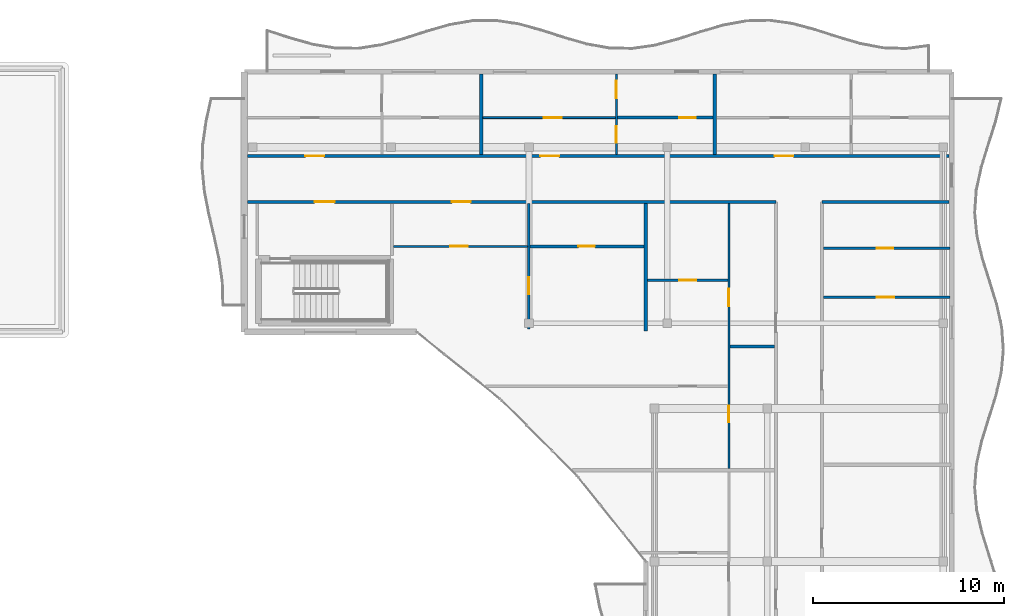
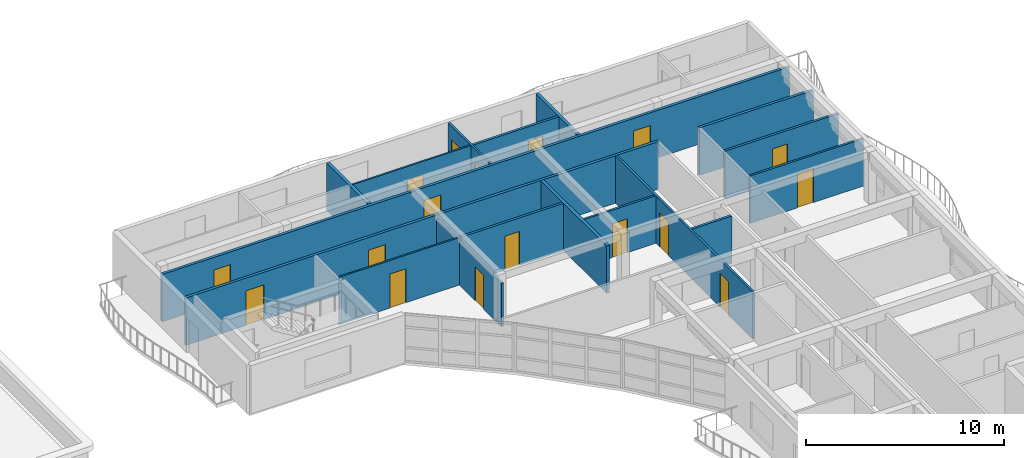
# One storey, part 12 of 18: 17 doors, 17 walls, 17 openings.
"""IFC4 building model written with IfcOpenShell, lengths in metres."""

import ifcopenshell
import ifcopenshell.guid

model = None  # the IFC model being written
_history = None  # IfcOwnerHistory: only IFC2X3 demands one
_inside = {}  # id of a spatial element -> (the spatial element, [elements in it])
_under = {}  # id of a project, library or spatial element -> (it, [spatial elements below it])
_declared = {}  # id of a project -> (the project, [libraries it declares])
_typed = {}  # id of a type object -> (the type object, [elements of that type])
_made_of = {}  # id of a material, layer set ... -> (it, [elements and type objects made of it])


def new_model(schema):
    """Start an empty IFC model of exactly this schema.

    Asked for "IFC4X3", IfcOpenShell would pick the latest addendum, in which some entities
    have other attributes; the version numbers below select the first issue.
    IFC2X3 requires an IfcOwnerHistory on every rooted entity: one is made here for all.
    """
    global model, _history
    if schema == "IFC4X3":
        model = ifcopenshell.file(schema_version=(4, 3, 0, 0))
    else:
        model = ifcopenshell.file(schema=schema)
    _inside.clear()
    _under.clear()
    _declared.clear()
    _typed.clear()
    _made_of.clear()
    _history = None
    if model.schema == "IFC2X3":
        org = make("IfcOrganization", Name="unknown")
        user = make(
            "IfcPersonAndOrganization",
            ThePerson=make("IfcPerson", FamilyName="unknown"),
            TheOrganization=org,
        )
        app = make(
            "IfcApplication",
            ApplicationDeveloper=org,
            Version="unknown",
            ApplicationFullName="unknown",
            ApplicationIdentifier="unknown",
        )
        _history = make(
            "IfcOwnerHistory",
            OwningUser=user,
            OwningApplication=app,
            ChangeAction="ADDED",
            CreationDate=0,
        )
    return model


def make(cls, **values):
    """One entity of the class cls with the attributes given. An attribute that is None is left unset."""
    return model.create_entity(
        cls, **{name: value for name, value in values.items() if value is not None}
    )


def rooted(cls, **values):
    """An entity with a GlobalId (a new one), such as an element, a storey or a relation."""
    return make(cls, GlobalId=ifcopenshell.guid.new(), OwnerHistory=_history, **values)


def si_unit(unit_type, name, prefix=None):
    """IfcSIUnit, for example si_unit("LENGTHUNIT", "METRE", prefix="MILLI")."""
    return make("IfcSIUnit", UnitType=unit_type, Prefix=prefix, Name=name)


def assignment(units):
    """IfcUnitAssignment: the units of a project."""
    return None if units is None else make("IfcUnitAssignment", Units=units)


def point(xyz):
    """IfcCartesianPoint."""
    return None if xyz is None else make("IfcCartesianPoint", Coordinates=xyz)


def direction(xyz):
    """IfcDirection."""
    return None if xyz is None else make("IfcDirection", DirectionRatios=xyz)


def frame(location, z_axis=None, x_axis=None):
    """IfcAxis2Placement3D, a coordinate frame: its origin and axes. An axis left out is left unset."""
    return make(
        "IfcAxis2Placement3D",
        Location=point(location),
        Axis=direction(z_axis),
        RefDirection=direction(x_axis),
    )


def frame_2d(location, x_axis=None):
    """IfcAxis2Placement2D, a coordinate frame in the plane: its origin and x axis."""
    return make(
        "IfcAxis2Placement2D", Location=point(location), RefDirection=direction(x_axis)
    )


def origin():
    """The frame at (0, 0, 0) with its axes left unset."""
    return frame((0.0, 0.0, 0.0))


def place(relative_to, where):
    """IfcLocalPlacement: puts the frame where relative to a parent placement (None: the world)."""
    return make(
        "IfcLocalPlacement", PlacementRelTo=relative_to, RelativePlacement=where
    )


def context(
    kind, dimensions, precision=None, world=None, true_north=None, identifier=None
):
    """IfcGeometricRepresentationContext, for example the 3D "Model" context."""
    return make(
        "IfcGeometricRepresentationContext",
        ContextIdentifier=identifier,
        ContextType=kind,
        CoordinateSpaceDimension=dimensions,
        Precision=precision,
        WorldCoordinateSystem=world,
        TrueNorth=true_north,
    )


def subcontext(parent, identifier, kind, view, scale=None):
    """IfcGeometricRepresentationSubContext, for example "Body" below "Model"."""
    return make(
        "IfcGeometricRepresentationSubContext",
        ContextIdentifier=identifier,
        ContextType=kind,
        ParentContext=parent,
        TargetScale=scale,
        TargetView=view,
    )


def project(units=None, contexts=None):
    """IfcProject with its units and contexts."""
    return rooted(
        "IfcProject",
        Name="project",
        RepresentationContexts=contexts,
        UnitsInContext=assignment(units),
    )


def spatial(cls, under=None, at=None, **own):
    """A site, building, storey or space (cls), placed at a placement, below another one or the project."""
    s = rooted(cls, ObjectPlacement=at, **own)
    if under is not None:
        _under.setdefault(under.id(), (under, []))[1].append(s)
    return s


def profile(cls, at=None, kind="AREA", **sizes):
    """A parametric profile (cls). Its sizes go by their IFC names, for example OverallWidth=200.0."""
    return make(cls, ProfileType=kind, Position=at, **sizes)


def rectangle(**sizes):
    """IfcRectangleProfileDef."""
    return profile("IfcRectangleProfileDef", **sizes)


def extrude(swept, where, along, depth):
    """IfcExtrudedAreaSolid: the profile swept, set in the frame where, extruded along a direction by depth."""
    return make(
        "IfcExtrudedAreaSolid",
        SweptArea=swept,
        Position=where,
        ExtrudedDirection=direction(along),
        Depth=depth,
    )


def shape(context_of_items, identifier, shape_type, items):
    """IfcShapeRepresentation: the items that make up one representation, for example the "Body"."""
    return make(
        "IfcShapeRepresentation",
        ContextOfItems=context_of_items,
        RepresentationIdentifier=identifier,
        RepresentationType=shape_type,
        Items=items,
    )


def material(Name=None, Category=None):
    """IfcMaterial."""
    return make("IfcMaterial", Name=Name, Category=Category)


def layer(
    of_material, thickness, ventilated=None, Name=None, Category=None, Priority=None
):
    """IfcMaterialLayer: one layer of a wall or slab, of a material (None: an air gap)."""
    return make(
        "IfcMaterialLayer",
        Material=of_material,
        LayerThickness=thickness,
        IsVentilated=ventilated,
        Name=Name,
        Category=Category,
        Priority=Priority,
    )


def layer_set(layers, Name=None):
    """IfcMaterialLayerSet."""
    return make("IfcMaterialLayerSet", MaterialLayers=layers, LayerSetName=Name)


def made_of(thing, what):
    """Note that an element or type object is made of a material, layer set ...; save() writes the relation."""
    if what is not None:
        _made_of.setdefault(what.id(), (what, []))[1].append(thing)
    return thing


def type_object(cls, material=None, **own):
    """A type object (cls), such as IfcWallType, which elements share."""
    return made_of(rooted(cls, **own), material)


def element(
    cls,
    number,
    at=None,
    inside=None,
    cuts=None,
    type_object=None,
    material=None,
    context=None,
    identifier="Body",
    shape_type=None,
    held_by="IfcProductDefinitionShape",
    body=None,
    shapes=None,
    **own,
):
    """One element of the class cls, such as IfcWall. Its Tag is "e" and its number.

    at: its placement. inside: the storey or other place that contains it. cuts: it is an
    opening in that element (IfcRelVoidsElement). A single representation is given by context,
    identifier, shape_type and body (its items); several are given by shapes. held_by: the class
    of the entity that holds the representations. save() writes the other relations.
    """
    e = rooted(cls, Tag="e%d" % number, ObjectPlacement=at, **own)
    if body is not None:
        shapes = [shape(context, identifier, shape_type, body)]
    if shapes is not None:
        e.Representation = make(held_by, Representations=shapes)
    if inside is not None:
        _inside.setdefault(inside.id(), (inside, []))[1].append(e)
    if cuts is not None:
        rooted(
            "IfcRelVoidsElement", RelatingBuildingElement=cuts, RelatedOpeningElement=e
        )
    if type_object is not None:
        _typed.setdefault(type_object.id(), (type_object, []))[1].append(e)
    return made_of(e, material)


def fill(opening, filler):
    """IfcRelFillsElement: the door or window that sits in an opening."""
    return rooted(
        "IfcRelFillsElement",
        RelatingOpeningElement=opening,
        RelatedBuildingElement=filler,
    )


def aggregate(whole, parts):
    """IfcRelAggregates: a whole, such as a stair, and the parts it consists of."""
    return rooted("IfcRelAggregates", RelatingObject=whole, RelatedObjects=parts)


def save(model, path):
    """Write the relations noted so far, then the file.

    IfcRelAggregates (storeys below a building ...), IfcRelContainedInSpatialStructure (elements
    in a storey), IfcRelDefinesByType, IfcRelAssociatesMaterial and IfcRelDeclares: one each for
    every whole, place, type object, material and project.
    """
    for whole, parts in _under.values():
        aggregate(whole, parts)
    for where, things in _inside.values():
        rooted(
            "IfcRelContainedInSpatialStructure",
            RelatedElements=things,
            RelatingStructure=where,
        )
    for kind, things in _typed.values():
        rooted("IfcRelDefinesByType", RelatedObjects=things, RelatingType=kind)
    for what, things in _made_of.values():
        rooted("IfcRelAssociatesMaterial", RelatedObjects=things, RelatingMaterial=what)
    for by, libraries in _declared.values():
        rooted("IfcRelDeclares", RelatingContext=by, RelatedDefinitions=libraries)
    model.write(path)


model = new_model("IFC4")

# Units and contexts
model_context = context("Model", 3, precision=1e-05, world=origin(), true_north=direction((0.0, 1.0)))
body_context = subcontext(model_context, "Body", "Model", "MODEL_VIEW")
ifc_project = project(units=[si_unit("LENGTHUNIT", "METRE"), si_unit("AREAUNIT", "SQUARE_METRE"), si_unit("VOLUMEUNIT", "CUBIC_METRE"), si_unit("PLANEANGLEUNIT", "RADIAN"), si_unit("MASSUNIT", "GRAM", prefix="KILO")], contexts=[model_context])

# Site, building, storey
site_placement = place(None, origin())
site = spatial("IfcSite", under=ifc_project, at=site_placement, CompositionType="ELEMENT")
building_placement = place(site_placement, origin())
building = spatial("IfcBuilding", under=site, at=building_placement, Name="Keldmere Railside Commons", CompositionType="ELEMENT")
storey_placement = place(building_placement, frame((0.0, 0.0, 39.360107421875)))
storey = spatial("IfcBuildingStorey", under=building, at=storey_placement, Name="L12", CompositionType="ELEMENT", Elevation=39.360107421875)

# Walls
ifc_material_1 = material(Name="Acoustic Gypsum Board Partition", Category="gypsum")
ifc_layer_1 = layer(ifc_material_1, 0.179931640625, Name="Acoustic Demising Partition 180")
ifc_layer_set_1 = layer_set([ifc_layer_1], Name="Acoustic Gypsum Board Partition")
wall_type_1 = type_object("IfcWallType", Name="Acoustic Demising Partition 180", PredefinedType="PARTITIONING", material=ifc_layer_set_1)
wall_1_placement = place(storey_placement, frame((168.0, 100.050048828125, 0.0), z_axis=(0.0, 0.0, 1.0), x_axis=(0.0, 1.0, 0.0)))
element("IfcWall", 1, at=wall_1_placement, inside=storey, type_object=wall_type_1, Name="IW-1 IW-L12-1900", PredefinedType="PARTITIONING", context=body_context, shape_type="SweptSolid", body=[
    extrude(rectangle(XDim=6.669921875, YDim=0.179931640625, at=frame_2d((3.3349609375, 0.0))), origin(), (0.0, 0.0, 1.0), 2.934814453125),
])
for number, where, z_axis, x_axis, name in (
    (2, (159.389892578125, 109.280029296875, 0.0), (0.0, 0.0, 1.0), (0.0, 1.0, 0.0), "IW-1 IW-L12-1913"),
    (3, (171.610107421875, 109.280029296875, 0.0), (0.0, 0.0, 1.0), (0.0, 1.0, 0.0), "IW-1 IW-L12-1914"),
):
    element("IfcWall", number, at=place(storey_placement, frame(where, z_axis=z_axis, x_axis=x_axis)), inside=storey, type_object=wall_type_1, Name=name, PredefinedType="PARTITIONING", context=body_context, shape_type="SweptSolid", body=[
        extrude(rectangle(XDim=4.199951171875, YDim=0.179931640625, at=frame_2d((2.10009765625, 0.0))), origin(), (0.0, 0.0, 1.0), 2.934814453125),
    ])

# Wall, openings, doors
ifc_layer_2 = layer(ifc_material_1, 0.1201171875, Name="Apartment Interior Partition 120")
ifc_layer_set_2 = layer_set([ifc_layer_2], Name="Acoustic Gypsum Board Partition")
wall_type_2 = type_object("IfcWallType", Name="Apartment Interior Partition 120", PredefinedType="PARTITIONING", material=ifc_layer_set_2)
wall_2_placement = place(storey_placement, frame((172.340087890625, 92.8701171875, 0.0), z_axis=(0.0, 0.0, 1.0), x_axis=(0.0, 1.0, 0.0)))
wall_2 = element("IfcWall", 4, at=wall_2_placement, inside=storey, type_object=wall_type_2, Name="IW-4 IW-L12-1909", PredefinedType="PARTITIONING", context=body_context, shape_type="SweptSolid", body=[
    extrude(rectangle(XDim=13.849853515625, YDim=0.1201171875, at=frame_2d((6.9248046875, 0.0))), origin(), (0.0, 0.0, 1.0), 2.934814453125),
])
opening_1_placement = place(wall_2_placement, frame((2.420654296875, 0.0, 0.0)))
opening_1 = element("IfcOpeningElement", 5, at=opening_1_placement, cuts=wall_2, Name="Opening ID-04", PredefinedType="OPENING", context=body_context, shape_type="SweptSolid", body=[
    extrude(rectangle(XDim=0.860107421875, YDim=2.10009765625, at=frame_2d((0.43017578125, 1.050048828125))), frame((0.0, 0.070068359375, 0.0), z_axis=(0.0, -1.0, 0.0), x_axis=(1.0, 0.0, 0.0)), (0.0, 0.0, 1.0), 0.14013671875),
])
opening_2_placement = place(wall_2_placement, frame((8.46435546875, 0.0, 0.0)))
opening_2 = element("IfcOpeningElement", 6, at=opening_2_placement, cuts=wall_2, Name="Opening ID-03", PredefinedType="OPENING", context=body_context, shape_type="SweptSolid", body=[
    extrude(rectangle(XDim=0.919921875, YDim=2.10009765625, at=frame_2d((0.4599609375, 1.050048828125))), frame((0.0, 0.070068359375, 0.0), z_axis=(0.0, -1.0, 0.0), x_axis=(1.0, 0.0, 0.0)), (0.0, 0.0, 1.0), 0.14013671875),
])
ifc_material_2 = material(Name="Engineered Oak Timber", Category="wood")
door_type_1 = type_object("IfcDoorType", Name="Apartment Bathroom Door 860x2100", OperationType="NOTDEFINED", PredefinedType="DOOR", material=ifc_material_2)
door_1_placement = place(opening_1_placement, origin())
door_1 = element("IfcDoor", 7, at=door_1_placement, inside=storey, type_object=door_type_1, Name="ID-04 IDR-L12-1747", OperationType="SINGLE_SWING_LEFT", OverallHeight=2.10009765625, OverallWidth=0.860107421875, PredefinedType="DOOR", context=body_context, shape_type="SweptSolid", body=[
    extrude(rectangle(XDim=0.860107421875, YDim=2.10009765625, at=frame_2d((0.43017578125, 1.050048828125))), frame((0.0, 0.02490234375, 0.0), z_axis=(0.0, -1.0, 0.0), x_axis=(1.0, 0.0, 0.0)), (0.0, 0.0, 1.0), 0.050048828125),
])
fill(opening_1, door_1)
door_type_2 = type_object("IfcDoorType", Name="Kitchen Pocket-Frame Swing Door 920x2100", OperationType="NOTDEFINED", PredefinedType="DOOR", material=ifc_material_2)
door_2_placement = place(opening_2_placement, origin())
door_2 = element("IfcDoor", 8, at=door_2_placement, inside=storey, type_object=door_type_2, Name="ID-03 IDR-L12-1748", OperationType="SINGLE_SWING_RIGHT", OverallHeight=2.10009765625, OverallWidth=0.919921875, PredefinedType="DOOR", context=body_context, shape_type="SweptSolid", body=[
    extrude(rectangle(XDim=0.919921875, YDim=2.10009765625, at=frame_2d((0.4599609375, 1.050048828125))), frame((0.0, 0.02490234375, 0.0), z_axis=(0.0, -1.0, 0.0), x_axis=(1.0, 0.0, 0.0)), (0.0, 0.0, 1.0), 0.050048828125),
])
fill(opening_2, door_2)

# Wall, opening, door
wall_3_placement = place(storey_placement, frame((168.090087890625, 102.699951171875, 0.0), z_axis=(0.0, 0.0, 1.0), x_axis=(1.0, 0.0, 0.0)))
wall_3 = element("IfcWall", 9, at=wall_3_placement, inside=storey, type_object=wall_type_2, Name="IW-4 IW-L12-1912", PredefinedType="PARTITIONING", context=body_context, shape_type="SweptSolid", body=[
    extrude(rectangle(XDim=4.18994140625, YDim=0.1201171875, at=frame_2d((2.094970703125, 0.0))), origin(), (0.0, 0.0, 1.0), 2.934814453125),
])
opening_3_placement = place(wall_3_placement, frame((1.655029296875, 0.0, 0.0)))
opening_3 = element("IfcOpeningElement", 10, at=opening_3_placement, cuts=wall_3, Name="Opening ID-02", PredefinedType="OPENING", context=body_context, shape_type="SweptSolid", body=[
    extrude(rectangle(XDim=0.8798828125, YDim=2.10009765625, at=frame_2d((0.43994140625, 1.050048828125))), frame((0.0, 0.070068359375, 0.0), z_axis=(0.0, -1.0, 0.0), x_axis=(1.0, 0.0, 0.0)), (0.0, 0.0, 1.0), 0.14013671875),
])
door_type_3 = type_object("IfcDoorType", Name="Secondary Bedroom Door 880x2100", OperationType="NOTDEFINED", PredefinedType="DOOR", material=ifc_material_2)
door_3_placement = place(opening_3_placement, origin())
door_3 = element("IfcDoor", 11, at=door_3_placement, inside=storey, type_object=door_type_3, Name="ID-02 IDR-L12-1751", OperationType="SINGLE_SWING_LEFT", OverallHeight=2.10009765625, OverallWidth=0.8798828125, PredefinedType="DOOR", context=body_context, shape_type="SweptSolid", body=[
    extrude(rectangle(XDim=0.8798828125, YDim=2.10009765625, at=frame_2d((0.43994140625, 1.050048828125))), frame((0.0, 0.02490234375, 0.0), z_axis=(0.0, -1.0, 0.0), x_axis=(1.0, 0.0, 0.0)), (0.0, 0.0, 1.0), 0.050048828125),
])
fill(opening_3, door_3)

# Wall, openings, doors
wall_4_placement = place(storey_placement, frame((166.4599609375, 109.280029296875, 0.0), z_axis=(0.0, 0.0, 1.0), x_axis=(0.0, 1.0, 0.0)))
wall_4 = element("IfcWall", 12, at=wall_4_placement, inside=storey, type_object=wall_type_2, Name="IW-4 IW-L12-1918", PredefinedType="PARTITIONING", context=body_context, shape_type="SweptSolid", body=[
    extrude(rectangle(XDim=4.199951171875, YDim=0.1201171875, at=frame_2d((2.10009765625, 0.0))), origin(), (0.0, 0.0, 1.0), 2.934814453125),
])
opening_4_placement = place(wall_4_placement, frame((0.61767578125, 0.0, 0.0)))
opening_4 = element("IfcOpeningElement", 13, at=opening_4_placement, cuts=wall_4, Name="Opening ID-04", PredefinedType="OPENING", context=body_context, shape_type="SweptSolid", body=[
    extrude(rectangle(XDim=0.860107421875, YDim=2.10009765625, at=frame_2d((0.43017578125, 1.050048828125))), frame((0.0, 0.070068359375, 0.0), z_axis=(0.0, -1.0, 0.0), x_axis=(1.0, 0.0, 0.0)), (0.0, 0.0, 1.0), 0.14013671875),
])
opening_5_placement = place(wall_4_placement, frame((2.951416015625, 0.0, 0.0)))
opening_5 = element("IfcOpeningElement", 14, at=opening_5_placement, cuts=wall_4, Name="Opening ID-01", PredefinedType="OPENING", context=body_context, shape_type="SweptSolid", body=[
    extrude(rectangle(XDim=0.89990234375, YDim=2.10009765625, at=frame_2d((0.449951171875, 1.050048828125))), frame((0.0, 0.070068359375, 0.0), z_axis=(0.0, -1.0, 0.0), x_axis=(1.0, 0.0, 0.0)), (0.0, 0.0, 1.0), 0.14013671875),
])
door_4_placement = place(opening_4_placement, origin())
door_4 = element("IfcDoor", 15, at=door_4_placement, inside=storey, type_object=door_type_1, Name="ID-04 IDR-L12-1758", OperationType="SINGLE_SWING_RIGHT", OverallHeight=2.10009765625, OverallWidth=0.860107421875, PredefinedType="DOOR", context=body_context, shape_type="SweptSolid", body=[
    extrude(rectangle(XDim=0.860107421875, YDim=2.10009765625, at=frame_2d((0.43017578125, 1.050048828125))), frame((0.0, 0.02490234375, 0.0), z_axis=(0.0, -1.0, 0.0), x_axis=(1.0, 0.0, 0.0)), (0.0, 0.0, 1.0), 0.050048828125),
])
fill(opening_4, door_4)
door_type_4 = type_object("IfcDoorType", Name="Primary Bedroom Door 900x2100", OperationType="NOTDEFINED", PredefinedType="DOOR", material=ifc_material_2)
door_5_placement = place(opening_5_placement, origin())
door_5 = element("IfcDoor", 16, at=door_5_placement, inside=storey, type_object=door_type_4, Name="ID-01 IDR-L12-1759", OperationType="SINGLE_SWING_LEFT", OverallHeight=2.10009765625, OverallWidth=0.89990234375, PredefinedType="DOOR", context=body_context, shape_type="SweptSolid", body=[
    extrude(rectangle(XDim=0.89990234375, YDim=2.10009765625, at=frame_2d((0.449951171875, 1.050048828125))), frame((0.0, 0.02490234375, 0.0), z_axis=(0.0, -1.0, 0.0), x_axis=(1.0, 0.0, 0.0)), (0.0, 0.0, 1.0), 0.050048828125),
])
fill(opening_5, door_5)

# Wall, opening, door
wall_5_placement = place(storey_placement, frame((161.8798828125, 100.159912109375, 0.0), z_axis=(0.0, 0.0, 1.0), x_axis=(0.0, 1.0, 0.0)))
wall_5 = element("IfcWall", 17, at=wall_5_placement, inside=storey, type_object=wall_type_2, Name="IW-4 IW-L12-1924", PredefinedType="PARTITIONING", context=body_context, shape_type="SweptSolid", body=[
    extrude(rectangle(XDim=6.56005859375, YDim=0.1201171875, at=frame_2d((3.280029296875, 0.0))), origin(), (0.0, 0.0, 1.0), 2.679931640625),
])
opening_6_placement = place(wall_5_placement, frame((1.810302734375, 0.0, 0.0)))
opening_6 = element("IfcOpeningElement", 18, at=opening_6_placement, cuts=wall_5, Name="Opening ID-02", PredefinedType="OPENING", context=body_context, shape_type="SweptSolid", body=[
    extrude(rectangle(XDim=0.8798828125, YDim=2.10009765625, at=frame_2d((0.43994140625, 1.050048828125))), frame((0.0, 0.070068359375, 0.0), z_axis=(0.0, -1.0, 0.0), x_axis=(1.0, 0.0, 0.0)), (0.0, 0.0, 1.0), 0.14013671875),
])
door_6_placement = place(opening_6_placement, origin())
door_6 = element("IfcDoor", 19, at=door_6_placement, inside=storey, type_object=door_type_3, Name="ID-02 IDR-L12-1768", OperationType="SINGLE_SWING_RIGHT", OverallHeight=2.10009765625, OverallWidth=0.8798828125, PredefinedType="DOOR", context=body_context, shape_type="SweptSolid", body=[
    extrude(rectangle(XDim=0.8798828125, YDim=2.10009765625, at=frame_2d((0.43994140625, 1.050048828125))), frame((0.0, 0.02490234375, 0.0), z_axis=(0.0, -1.0, 0.0), x_axis=(1.0, 0.0, 0.0)), (0.0, 0.0, 1.0), 0.050048828125),
])
fill(opening_6, door_6)

wall_6_placement = place(storey_placement, frame((177.280029296875, 101.820068359375, 0.0), z_axis=(0.0, 0.0, 1.0), x_axis=(1.0, 0.0, 0.0)))
wall_6 = element("IfcWall", 20, at=wall_6_placement, inside=storey, type_object=wall_type_2, Name="IW-4 IW-L12-1930", PredefinedType="PARTITIONING", context=body_context, shape_type="SweptSolid", body=[
    extrude(rectangle(XDim=6.6298828125, YDim=0.1201171875, at=frame_2d((3.31494140625, 0.0))), origin(), (0.0, 0.0, 1.0), 2.934814453125),
])
opening_7_placement = place(wall_6_placement, frame((2.78466796875, 0.0, 0.0)))
opening_7 = element("IfcOpeningElement", 21, at=opening_7_placement, cuts=wall_6, Name="Opening ID-03", PredefinedType="OPENING", context=body_context, shape_type="SweptSolid", body=[
    extrude(rectangle(XDim=0.919921875, YDim=2.10009765625, at=frame_2d((0.4599609375, 1.050048828125))), frame((0.0, 0.070068359375, 0.0), z_axis=(0.0, -1.0, 0.0), x_axis=(1.0, 0.0, 0.0)), (0.0, 0.0, 1.0), 0.14013671875),
])
door_7_placement = place(opening_7_placement, origin())
door_7 = element("IfcDoor", 22, at=door_7_placement, inside=storey, type_object=door_type_2, Name="ID-03 IDR-L12-1775", OperationType="SINGLE_SWING_LEFT", OverallHeight=2.10009765625, OverallWidth=0.919921875, PredefinedType="DOOR", context=body_context, shape_type="SweptSolid", body=[
    extrude(rectangle(XDim=0.919921875, YDim=2.10009765625, at=frame_2d((0.4599609375, 1.050048828125))), frame((0.0, 0.02490234375, 0.0), z_axis=(0.0, -1.0, 0.0), x_axis=(1.0, 0.0, 0.0)), (0.0, 0.0, 1.0), 0.050048828125),
])
fill(opening_7, door_7)

ifc_layer_3 = layer(ifc_material_1, 0.10009765625, Name="Closet Light Partition 100")
ifc_layer_set_3 = layer_set([ifc_layer_3], Name="Acoustic Gypsum Board Partition")
wall_type_3 = type_object("IfcWallType", Name="Closet Light Partition 100", PredefinedType="PARTITIONING", material=ifc_layer_set_3)
wall_7_placement = place(storey_placement, frame((159.47998046875, 111.2099609375, 0.0), z_axis=(0.0, 0.0, 1.0), x_axis=(1.0, 0.0, 0.0)))
wall_7 = element("IfcWall", 23, at=wall_7_placement, inside=storey, type_object=wall_type_3, Name="IW-6 IW-L12-1920", PredefinedType="PARTITIONING", context=body_context, shape_type="SweptSolid", body=[
    extrude(rectangle(XDim=6.919921875, YDim=0.10009765625, at=frame_2d((3.4599609375, 0.0))), origin(), (0.0, 0.0, 1.0), 2.934814453125),
])
opening_8_placement = place(wall_7_placement, frame((3.19189453125, 0.0, 0.0)))
opening_8 = element("IfcOpeningElement", 24, at=opening_8_placement, cuts=wall_7, Name="Opening ID-03", PredefinedType="OPENING", context=body_context, shape_type="SweptSolid", body=[
    extrude(rectangle(XDim=0.919921875, YDim=2.10009765625, at=frame_2d((0.4599609375, 1.050048828125))), frame((0.0, 0.06005859375, 0.0), z_axis=(0.0, -1.0, 0.0), x_axis=(1.0, 0.0, 0.0)), (0.0, 0.0, 1.0), 0.1201171875),
])
door_8_placement = place(opening_8_placement, origin())
door_8 = element("IfcDoor", 25, at=door_8_placement, inside=storey, type_object=door_type_2, Name="ID-03 IDR-L12-1757", OperationType="SINGLE_SWING_LEFT", OverallHeight=2.10009765625, OverallWidth=0.919921875, PredefinedType="DOOR", context=body_context, shape_type="SweptSolid", body=[
    extrude(rectangle(XDim=0.919921875, YDim=2.10009765625, at=frame_2d((0.4599609375, 1.050048828125))), frame((0.0, 0.02490234375, 0.0), z_axis=(0.0, -1.0, 0.0), x_axis=(1.0, 0.0, 0.0)), (0.0, 0.0, 1.0), 0.050048828125),
])
fill(opening_8, door_8)

wall_8_placement = place(storey_placement, frame((154.800048828125, 104.469970703125, 0.0), z_axis=(0.0, 0.0, 1.0), x_axis=(1.0, 0.0, 0.0)))
wall_8 = element("IfcWall", 26, at=wall_8_placement, inside=storey, type_object=wall_type_3, Name="IW-6 IW-L12-1926", PredefinedType="PARTITIONING", context=body_context, shape_type="SweptSolid", body=[
    extrude(rectangle(XDim=7.02001953125, YDim=0.10009765625, at=frame_2d((3.510009765625, 0.0))), origin(), (0.0, 0.0, 1.0), 2.934814453125),
])
opening_9_placement = place(wall_8_placement, frame((2.9736328125, 0.0, 0.0)))
opening_9 = element("IfcOpeningElement", 27, at=opening_9_placement, cuts=wall_8, Name="Opening ID-03", PredefinedType="OPENING", context=body_context, shape_type="SweptSolid", body=[
    extrude(rectangle(XDim=0.919921875, YDim=2.10009765625, at=frame_2d((0.4599609375, 1.050048828125))), frame((0.0, 0.06005859375, 0.0), z_axis=(0.0, -1.0, 0.0), x_axis=(1.0, 0.0, 0.0)), (0.0, 0.0, 1.0), 0.1201171875),
])
door_9_placement = place(opening_9_placement, origin())
door_9 = element("IfcDoor", 28, at=door_9_placement, inside=storey, type_object=door_type_2, Name="ID-03 IDR-L12-1767", OperationType="SINGLE_SWING_LEFT", OverallHeight=2.10009765625, OverallWidth=0.919921875, PredefinedType="DOOR", context=body_context, shape_type="SweptSolid", body=[
    extrude(rectangle(XDim=0.919921875, YDim=2.10009765625, at=frame_2d((0.4599609375, 1.050048828125))), frame((0.0, 0.02490234375, 0.0), z_axis=(0.0, -1.0, 0.0), x_axis=(1.0, 0.0, 0.0)), (0.0, 0.0, 1.0), 0.050048828125),
])
fill(opening_9, door_9)

# Wall, openings, doors
ifc_layer_4 = layer(ifc_material_1, 0.159912109375, Name="Corridor Fire Partition 160")
ifc_layer_set_4 = layer_set([ifc_layer_4], Name="Acoustic Gypsum Board Partition")
wall_type_4 = type_object("IfcWallType", Name="Corridor Fire Partition 160", PredefinedType="PARTITIONING", material=ifc_layer_set_4)
wall_9_placement = place(storey_placement, frame((147.159912109375, 106.800048828125, 0.0), z_axis=(0.0, 0.0, 1.0), x_axis=(1.0, 0.0, 0.0)))
wall_9 = element("IfcWall", 29, at=wall_9_placement, inside=storey, type_object=wall_type_4, Name="IW-2 IW-L12-1897", PredefinedType="PARTITIONING", context=body_context, shape_type="SweptSolid", body=[
    extrude(rectangle(XDim=27.64013671875, YDim=0.159912109375, at=frame_2d((13.820068359375, 0.0))), origin(), (0.0, 0.0, 1.0), 2.934814453125),
])
opening_10_placement = place(wall_9_placement, frame((3.514892578125, 0.0, 0.0)))
opening_10 = element("IfcOpeningElement", 30, at=opening_10_placement, cuts=wall_9, Name="Opening FD-1", PredefinedType="OPENING", context=body_context, shape_type="SweptSolid", body=[
    extrude(rectangle(XDim=1.050048828125, YDim=2.14990234375, at=frame_2d((0.52490234375, 1.074951171875))), frame((0.0, 0.08984375, 0.0), z_axis=(0.0, -1.0, 0.0), x_axis=(1.0, 0.0, 0.0)), (0.0, 0.0, 1.0), 0.179931640625),
])
opening_11_placement = place(wall_9_placement, frame((10.68994140625, 0.0, 0.0)))
opening_11 = element("IfcOpeningElement", 31, at=opening_11_placement, cuts=wall_9, Name="Opening FD-7", PredefinedType="OPENING", context=body_context, shape_type="SweptSolid", body=[
    extrude(rectangle(XDim=0.97998046875, YDim=2.14990234375, at=frame_2d((0.489990234375, 1.074951171875))), frame((0.0, 0.08984375, 0.0), z_axis=(0.0, -1.0, 0.0), x_axis=(1.0, 0.0, 0.0)), (0.0, 0.0, 1.0), 0.179931640625),
])
door_type_5 = type_object("IfcDoorType", Name="Apartment Entrance Acoustic Fire Door 980x2150", OperationType="NOTDEFINED", PredefinedType="DOOR", material=ifc_material_2)
door_10_placement = place(opening_11_placement, origin())
door_10 = element("IfcDoor", 32, at=door_10_placement, inside=storey, type_object=door_type_5, Name="FD-7 IDR-L12-1766", OperationType="SINGLE_SWING_RIGHT", OverallHeight=2.14990234375, OverallWidth=0.97998046875, PredefinedType="DOOR", context=body_context, shape_type="SweptSolid", body=[
    extrude(rectangle(XDim=0.97998046875, YDim=2.14990234375, at=frame_2d((0.489990234375, 1.074951171875))), frame((0.0, 0.02490234375, 0.0), z_axis=(0.0, -1.0, 0.0), x_axis=(1.0, 0.0, 0.0)), (0.0, 0.0, 1.0), 0.050048828125),
])
fill(opening_11, door_10)
ifc_material_3 = material(Name="Steel F-24 (S235)", Category="steel")
door_type_6 = type_object("IfcDoorType", Name="Stair Core Fire Door 1050x2150", OperationType="NOTDEFINED", PredefinedType="DOOR", material=ifc_material_3)
door_11_placement = place(opening_10_placement, origin())
door_11 = element("IfcDoor", 33, at=door_11_placement, inside=storey, type_object=door_type_6, Name="FD-1 IDR-L12-1738", OperationType="SINGLE_SWING_RIGHT", OverallHeight=2.14990234375, OverallWidth=1.050048828125, PredefinedType="DOOR", context=body_context, shape_type="SweptSolid", body=[
    extrude(rectangle(XDim=1.050048828125, YDim=2.14990234375, at=frame_2d((0.52490234375, 1.074951171875))), frame((0.0, 0.02490234375, 0.0), z_axis=(0.0, -1.0, 0.0), x_axis=(1.0, 0.0, 0.0)), (0.0, 0.0, 1.0), 0.050048828125),
])
fill(opening_10, door_11)

# Wall
wall_10_placement = place(storey_placement, frame((177.199951171875, 106.800048828125, 0.0), z_axis=(0.0, 0.0, 1.0), x_axis=(1.0, 0.0, 0.0)))
element("IfcWall", 34, at=wall_10_placement, inside=storey, type_object=wall_type_4, Name="IW-2 IW-L12-1898", PredefinedType="PARTITIONING", context=body_context, shape_type="SweptSolid", body=[
    extrude(rectangle(XDim=6.64013671875, YDim=0.159912109375, at=frame_2d((3.320068359375, 0.0))), origin(), (0.0, 0.0, 1.0), 2.934814453125),
])

# Wall, openings, doors
wall_11_placement = place(storey_placement, frame((147.159912109375, 109.199951171875, 0.0), z_axis=(0.0, 0.0, 1.0), x_axis=(1.0, 0.0, 0.0)))
wall_11 = element("IfcWall", 35, at=wall_11_placement, inside=storey, type_object=wall_type_4, Name="IW-2 IW-L12-1899", PredefinedType="PARTITIONING", context=body_context, shape_type="SweptSolid", body=[
    extrude(rectangle(XDim=36.68017578125, YDim=0.159912109375, at=frame_2d((18.340087890625, 0.0))), origin(), (0.0, 0.0, 1.0), 2.934814453125),
])
opening_12_placement = place(wall_11_placement, frame((3.030029296875, 0.0, 0.0)))
opening_12 = element("IfcOpeningElement", 36, at=opening_12_placement, cuts=wall_11, Name="Opening FD-7", PredefinedType="OPENING", context=body_context, shape_type="SweptSolid", body=[
    extrude(rectangle(XDim=0.97998046875, YDim=2.14990234375, at=frame_2d((0.489990234375, 1.074951171875))), frame((0.0, 0.08984375, 0.0), z_axis=(0.0, -1.0, 0.0), x_axis=(1.0, 0.0, 0.0)), (0.0, 0.0, 1.0), 0.179931640625),
])
opening_13_placement = place(wall_11_placement, frame((15.320068359375, 0.0, 0.0)))
opening_13 = element("IfcOpeningElement", 37, at=opening_13_placement, cuts=wall_11, Name="Opening FD-7", PredefinedType="OPENING", context=body_context, shape_type="SweptSolid", body=[
    extrude(rectangle(XDim=0.97998046875, YDim=2.14990234375, at=frame_2d((0.489990234375, 1.074951171875))), frame((0.0, 0.08984375, 0.0), z_axis=(0.0, -1.0, 0.0), x_axis=(1.0, 0.0, 0.0)), (0.0, 0.0, 1.0), 0.179931640625),
])
opening_14_placement = place(wall_11_placement, frame((27.570068359375, 0.0, 0.0)))
opening_14 = element("IfcOpeningElement", 38, at=opening_14_placement, cuts=wall_11, Name="Opening FD-7", PredefinedType="OPENING", context=body_context, shape_type="SweptSolid", body=[
    extrude(rectangle(XDim=0.97998046875, YDim=2.14990234375, at=frame_2d((0.489990234375, 1.074951171875))), frame((0.0, 0.08984375, 0.0), z_axis=(0.0, -1.0, 0.0), x_axis=(1.0, 0.0, 0.0)), (0.0, 0.0, 1.0), 0.179931640625),
])
door_12_placement = place(opening_12_placement, origin())
door_12 = element("IfcDoor", 39, at=door_12_placement, inside=storey, type_object=door_type_5, Name="FD-7 IDR-L12-1752", OperationType="SINGLE_SWING_RIGHT", OverallHeight=2.14990234375, OverallWidth=0.97998046875, PredefinedType="DOOR", context=body_context, shape_type="SweptSolid", body=[
    extrude(rectangle(XDim=0.97998046875, YDim=2.14990234375, at=frame_2d((0.489990234375, 1.074951171875))), frame((0.0, 0.02490234375, 0.0), z_axis=(0.0, -1.0, 0.0), x_axis=(1.0, 0.0, 0.0)), (0.0, 0.0, 1.0), 0.050048828125),
])
fill(opening_12, door_12)
door_13_placement = place(opening_13_placement, origin())
door_13 = element("IfcDoor", 40, at=door_13_placement, inside=storey, type_object=door_type_5, Name="FD-7 IDR-L12-1756", OperationType="SINGLE_SWING_RIGHT", OverallHeight=2.14990234375, OverallWidth=0.97998046875, PredefinedType="DOOR", context=body_context, shape_type="SweptSolid", body=[
    extrude(rectangle(XDim=0.97998046875, YDim=2.14990234375, at=frame_2d((0.489990234375, 1.074951171875))), frame((0.0, 0.02490234375, 0.0), z_axis=(0.0, -1.0, 0.0), x_axis=(1.0, 0.0, 0.0)), (0.0, 0.0, 1.0), 0.050048828125),
])
fill(opening_13, door_13)
door_14_placement = place(opening_14_placement, origin())
door_14 = element("IfcDoor", 41, at=door_14_placement, inside=storey, type_object=door_type_5, Name="FD-7 IDR-L12-1761", OperationType="SINGLE_SWING_LEFT", OverallHeight=2.14990234375, OverallWidth=0.97998046875, PredefinedType="DOOR", context=body_context, shape_type="SweptSolid", body=[
    extrude(rectangle(XDim=0.97998046875, YDim=2.14990234375, at=frame_2d((0.489990234375, 1.074951171875))), frame((0.0, 0.02490234375, 0.0), z_axis=(0.0, -1.0, 0.0), x_axis=(1.0, 0.0, 0.0)), (0.0, 0.0, 1.0), 0.050048828125),
])
fill(opening_14, door_14)

# Wall
ifc_layer_5 = layer(ifc_material_1, 0.139892578125, Name="Wet-Room Sanitary Partition 140")
ifc_layer_set_5 = layer_set([ifc_layer_5], Name="Acoustic Gypsum Board Partition")
wall_type_5 = type_object("IfcWallType", Name="Wet-Room Sanitary Partition 140", PredefinedType="PARTITIONING", material=ifc_layer_set_5)
wall_12_placement = place(storey_placement, frame((172.39990234375, 99.239990234375, 0.0), z_axis=(0.0, 0.0, 1.0), x_axis=(1.0, 0.0, 0.0)))
element("IfcWall", 42, at=wall_12_placement, inside=storey, type_object=wall_type_5, Name="IW-5 IW-L12-1910", PredefinedType="PARTITIONING", context=body_context, shape_type="SweptSolid", body=[
    extrude(rectangle(XDim=2.320068359375, YDim=0.139892578125, at=frame_2d((1.16015625, 0.0))), origin(), (0.0, 0.0, 1.0), 2.934814453125),
])

# Wall, opening, door
wall_13_placement = place(storey_placement, frame((166.52001953125, 111.2099609375, 0.0), z_axis=(0.0, 0.0, 1.0), x_axis=(1.0, 0.0, 0.0)))
wall_13 = element("IfcWall", 43, at=wall_13_placement, inside=storey, type_object=wall_type_5, Name="IW-5 IW-L12-1919", PredefinedType="PARTITIONING", context=body_context, shape_type="SweptSolid", body=[
    extrude(rectangle(XDim=5.0, YDim=0.139892578125, at=frame_2d((2.5, 0.0))), origin(), (0.0, 0.0, 1.0), 2.934814453125),
])
opening_15_placement = place(wall_13_placement, frame((3.22412109375, 0.0, 0.0)))
opening_15 = element("IfcOpeningElement", 44, at=opening_15_placement, cuts=wall_13, Name="Opening ID-06", PredefinedType="OPENING", context=body_context, shape_type="SweptSolid", body=[
    extrude(rectangle(XDim=0.85009765625, YDim=2.050048828125, at=frame_2d((0.425048828125, 1.02490234375))), frame((0.0, 0.079833984375, 0.0), z_axis=(0.0, -1.0, 0.0), x_axis=(1.0, 0.0, 0.0)), (0.0, 0.0, 1.0), 0.159912109375),
])
door_type_7 = type_object("IfcDoorType", Name="Storage Closet Door 850x2050", OperationType="NOTDEFINED", PredefinedType="DOOR", material=ifc_material_2)
door_15_placement = place(opening_15_placement, origin())
door_15 = element("IfcDoor", 45, at=door_15_placement, inside=storey, type_object=door_type_7, Name="ID-06 IDR-L12-1760", OperationType="SINGLE_SWING_RIGHT", OverallHeight=2.050048828125, OverallWidth=0.85009765625, PredefinedType="DOOR", context=body_context, shape_type="SweptSolid", body=[
    extrude(rectangle(XDim=0.85009765625, YDim=2.050048828125, at=frame_2d((0.425048828125, 1.02490234375))), frame((0.0, 0.02490234375, 0.0), z_axis=(0.0, -1.0, 0.0), x_axis=(1.0, 0.0, 0.0)), (0.0, 0.0, 1.0), 0.050048828125),
])
fill(opening_15, door_15)

wall_14_placement = place(storey_placement, frame((161.93994140625, 104.469970703125, 0.0), z_axis=(0.0, 0.0, 1.0), x_axis=(1.0, 0.0, 0.0)))
wall_14 = element("IfcWall", 46, at=wall_14_placement, inside=storey, type_object=wall_type_5, Name="IW-5 IW-L12-1925", PredefinedType="PARTITIONING", context=body_context, shape_type="SweptSolid", body=[
    extrude(rectangle(XDim=5.969970703125, YDim=0.139892578125, at=frame_2d((2.98486328125, 0.0))), origin(), (0.0, 0.0, 1.0), 2.934814453125),
])
opening_16_placement = place(wall_14_placement, frame((2.53271484375, 0.0, 0.0)))
opening_16 = element("IfcOpeningElement", 47, at=opening_16_placement, cuts=wall_14, Name="Opening ID-04", PredefinedType="OPENING", context=body_context, shape_type="SweptSolid", body=[
    extrude(rectangle(XDim=0.860107421875, YDim=2.10009765625, at=frame_2d((0.43017578125, 1.050048828125))), frame((0.0, 0.079833984375, 0.0), z_axis=(0.0, -1.0, 0.0), x_axis=(1.0, 0.0, 0.0)), (0.0, 0.0, 1.0), 0.159912109375),
])
door_16_placement = place(opening_16_placement, origin())
door_16 = element("IfcDoor", 48, at=door_16_placement, inside=storey, type_object=door_type_1, Name="ID-04 IDR-L12-1769", OperationType="SINGLE_SWING_LEFT", OverallHeight=2.10009765625, OverallWidth=0.860107421875, PredefinedType="DOOR", context=body_context, shape_type="SweptSolid", body=[
    extrude(rectangle(XDim=0.860107421875, YDim=2.10009765625, at=frame_2d((0.43017578125, 1.050048828125))), frame((0.0, 0.02490234375, 0.0), z_axis=(0.0, -1.0, 0.0), x_axis=(1.0, 0.0, 0.0)), (0.0, 0.0, 1.0), 0.050048828125),
])
fill(opening_16, door_16)

wall_15_placement = place(storey_placement, frame((177.280029296875, 104.3701171875, 0.0), z_axis=(0.0, 0.0, 1.0), x_axis=(1.0, 0.0, 0.0)))
wall_15 = element("IfcWall", 49, at=wall_15_placement, inside=storey, type_object=wall_type_5, Name="IW-5 IW-L12-1931", PredefinedType="PARTITIONING", context=body_context, shape_type="SweptSolid", body=[
    extrude(rectangle(XDim=6.6298828125, YDim=0.139892578125, at=frame_2d((3.31494140625, 0.0))), origin(), (0.0, 0.0, 1.0), 2.934814453125),
])
opening_17_placement = place(wall_15_placement, frame((2.78466796875, 0.0, 0.0)))
opening_17 = element("IfcOpeningElement", 50, at=opening_17_placement, cuts=wall_15, Name="Opening ID-04", PredefinedType="OPENING", context=body_context, shape_type="SweptSolid", body=[
    extrude(rectangle(XDim=0.860107421875, YDim=2.10009765625, at=frame_2d((0.43017578125, 1.050048828125))), frame((0.0, 0.079833984375, 0.0), z_axis=(0.0, -1.0, 0.0), x_axis=(1.0, 0.0, 0.0)), (0.0, 0.0, 1.0), 0.159912109375),
])
door_17_placement = place(opening_17_placement, origin())
door_17 = element("IfcDoor", 51, at=door_17_placement, inside=storey, type_object=door_type_1, Name="ID-04 IDR-L12-1774", OperationType="SINGLE_SWING_RIGHT", OverallHeight=2.10009765625, OverallWidth=0.860107421875, PredefinedType="DOOR", context=body_context, shape_type="SweptSolid", body=[
    extrude(rectangle(XDim=0.860107421875, YDim=2.10009765625, at=frame_2d((0.43017578125, 1.050048828125))), frame((0.0, 0.02490234375, 0.0), z_axis=(0.0, -1.0, 0.0), x_axis=(1.0, 0.0, 0.0)), (0.0, 0.0, 1.0), 0.050048828125),
])
fill(opening_17, door_17)

save(model, "model.ifc")
